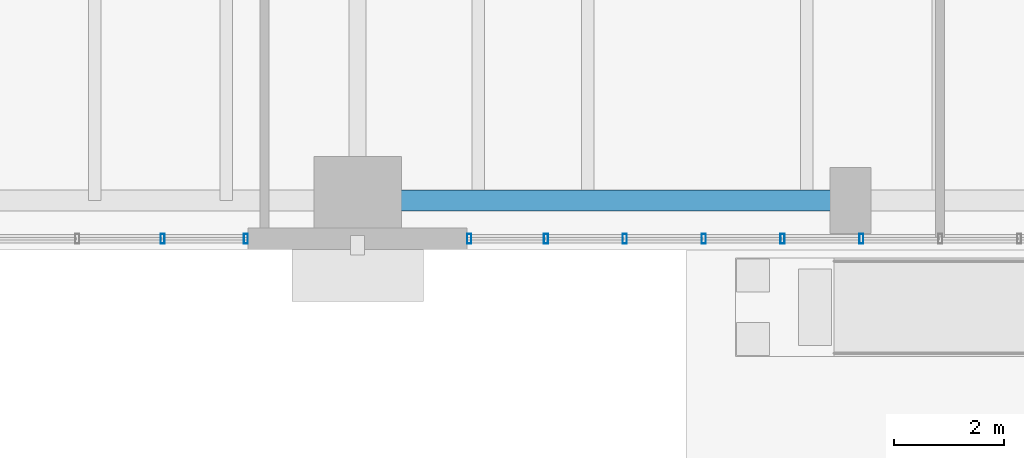
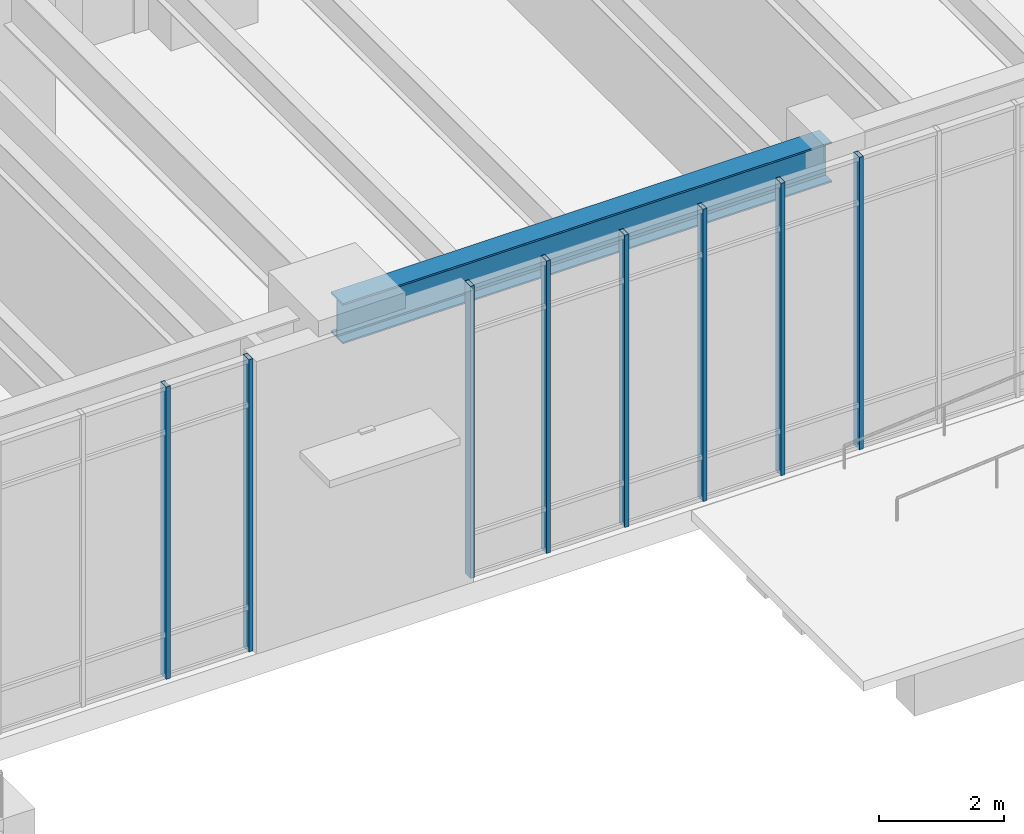
# One storey, part 4 of 28: 8 members, 1 beam, 2 elements without a shape of their own.
"""IFC4 building model written with IfcOpenShell, lengths in metres."""

from ifc_helpers import new_model, si_unit, direction, frame, origin, origin_2d, place, context, subcontext, project, spatial, hollow_rectangle, i_section, extrude, material, layer, layer_set, material_profile, profile_set, type_object, element, aggregate, save


model = new_model("IFC4")

# Units and contexts
model_context = context("Model", 3, precision=1e-05, world=origin(), true_north=direction((0.0, 1.0)))
body_context = subcontext(model_context, "Body", "Model", "MODEL_VIEW")
ifc_project = project(units=[si_unit("LENGTHUNIT", "METRE"), si_unit("AREAUNIT", "SQUARE_METRE"), si_unit("VOLUMEUNIT", "CUBIC_METRE"), si_unit("PLANEANGLEUNIT", "RADIAN"), si_unit("MASSUNIT", "GRAM", prefix="KILO"), si_unit("THERMODYNAMICTEMPERATUREUNIT", "KELVIN"), si_unit("POWERUNIT", "WATT")], contexts=[model_context])

# Site, building, storey
site_placement = place(None, origin())
site = spatial("IfcSite", under=ifc_project, at=site_placement, CompositionType="ELEMENT")
building_placement = place(site_placement, origin())
building = spatial("IfcBuilding", under=site, at=building_placement, Name="Skarre Station Tower", CompositionType="ELEMENT")
storey_placement = place(building_placement, origin())
storey = spatial("IfcBuildingStorey", under=building, at=storey_placement, Name="L01", CompositionType="ELEMENT", Elevation=0.0)

# Curtain wall, members
ifc_material_1 = material(Name="Thermally Broken Bronze-Anodized Aluminium & Triple Low-E Glass", Category="aluminium")
ifc_layer = layer(ifc_material_1, 0.239990234375, Name="Thermally Broken Bronze-Anodized Aluminium & Triple Low-E Glass")
ifc_layer_set = layer_set([ifc_layer], Name="Thermally Broken Bronze-Anodized Aluminium & Triple Low-E Glass")
curtain_wall_type = type_object("IfcCurtainWallType", Name="Station Concourse Monumental Unitised Curtain Wall", PredefinedType="NOTDEFINED", material=ifc_layer_set)
curtain_wall_1_placement = place(storey_placement, origin())
curtain_wall_1 = element("IfcCurtainWall", 1, at=curtain_wall_1_placement, inside=storey, type_object=curtain_wall_type, Name="L01 South Concourse Portal East Curtain Wall", PredefinedType="NOTDEFINED")
ifc_material_2 = material(Name="Anodized Aluminium 6063-T6", Category="aluminium")
ifc_material_profile_1 = material_profile(ifc_material_2, hollow_rectangle(XDim=0.074951171875, YDim=0.179931640625, WallThickness=0.00390625, at=origin_2d()), Name="Anodized Aluminium 6063-T6")
ifc_profile_set_1 = profile_set([ifc_material_profile_1], Name="Anodized Aluminium 6063-T6")
member_type = type_object("IfcMemberType", Name="Curtain-Wall Heavy Concourse Mullion 180x75", PredefinedType="MULLION", material=ifc_profile_set_1)
member_1_placement = place(storey_placement, frame((45.199951171875, 0.199951171875, 0.0), z_axis=(0.0, 0.0, 1.0), x_axis=(-1.0, 0.0, 0.0)))
member_1 = element("IfcMember", 2, at=member_1_placement, type_object=member_type, Name="L01 South Concourse Portal East Curtain Wall Mullion 6", PredefinedType="MULLION", context=body_context, shape_type="SweptSolid", body=[
    extrude(hollow_rectangle(XDim=0.074951171875, YDim=0.179931640625, WallThickness=0.00390625, at=origin_2d()), origin(), (0.0, 0.0, 1.0), 5.68994140625),
])
member_2_placement = place(storey_placement, frame((43.760009765625, 0.199951171875, 0.0), z_axis=(0.0, 0.0, 1.0), x_axis=(-1.0, 0.0, 0.0)))
member_2 = element("IfcMember", 3, at=member_2_placement, type_object=member_type, Name="L01 South Concourse Portal East Curtain Wall Mullion 7", PredefinedType="MULLION", context=body_context, shape_type="SweptSolid", body=[
    extrude(hollow_rectangle(XDim=0.074951171875, YDim=0.179931640625, WallThickness=0.00390625, at=origin_2d()), origin(), (0.0, 0.0, 1.0), 5.68994140625),
])
member_3_placement = place(storey_placement, frame((42.320068359375, 0.199951171875, 0.0), z_axis=(0.0, 0.0, 1.0), x_axis=(-1.0, 0.0, 0.0)))
member_3 = element("IfcMember", 4, at=member_3_placement, type_object=member_type, Name="L01 South Concourse Portal East Curtain Wall Mullion 8", PredefinedType="MULLION", context=body_context, shape_type="SweptSolid", body=[
    extrude(hollow_rectangle(XDim=0.074951171875, YDim=0.179931640625, WallThickness=0.00390625, at=origin_2d()), origin(), (0.0, 0.0, 1.0), 5.68994140625),
])
member_4_placement = place(storey_placement, frame((40.8798828125, 0.199951171875, 0.0), z_axis=(0.0, 0.0, 1.0), x_axis=(-1.0, 0.0, 0.0)))
member_4 = element("IfcMember", 5, at=member_4_placement, type_object=member_type, Name="L01 South Concourse Portal East Curtain Wall Mullion 9", PredefinedType="MULLION", context=body_context, shape_type="SweptSolid", body=[
    extrude(hollow_rectangle(XDim=0.074951171875, YDim=0.179931640625, WallThickness=0.00390625, at=origin_2d()), origin(), (0.0, 0.0, 1.0), 5.68994140625),
])
member_5_placement = place(storey_placement, frame((39.43994140625, 0.199951171875, 0.0), z_axis=(0.0, 0.0, 1.0), x_axis=(-1.0, 0.0, 0.0)))
member_5 = element("IfcMember", 6, at=member_5_placement, type_object=member_type, Name="L01 South Concourse Portal East Curtain Wall Mullion 10", PredefinedType="MULLION", context=body_context, shape_type="SweptSolid", body=[
    extrude(hollow_rectangle(XDim=0.074951171875, YDim=0.179931640625, WallThickness=0.00390625, at=origin_2d()), origin(), (0.0, 0.0, 1.0), 5.68994140625),
])
member_6_placement = place(storey_placement, frame((38.0400390625, 0.199951171875, 0.0), z_axis=(0.0, 0.0, 1.0), x_axis=(-1.0, 0.0, 0.0)))
member_6 = element("IfcMember", 7, at=member_6_placement, type_object=member_type, Name="L01 South Concourse Portal East Curtain Wall Mullion 11", PredefinedType="MULLION", context=body_context, shape_type="SweptSolid", body=[
    extrude(hollow_rectangle(XDim=0.074951171875, YDim=0.179931640625, WallThickness=0.00390625, at=origin_2d()), origin(), (0.0, 0.0, 1.0), 5.68994140625),
])
aggregate(curtain_wall_1, [member_1, member_2, member_3, member_4, member_5, member_6])

curtain_wall_2_placement = place(storey_placement, origin())
curtain_wall_2 = element("IfcCurtainWall", 8, at=curtain_wall_2_placement, inside=storey, type_object=curtain_wall_type, Name="L01 South Concourse Portal West Curtain Wall", PredefinedType="NOTDEFINED")
member_7_placement = place(storey_placement, frame((33.9599609375, 0.199951171875, 0.0), z_axis=(0.0, 0.0, 1.0), x_axis=(-1.0, 0.0, 0.0)))
member_7 = element("IfcMember", 9, at=member_7_placement, type_object=member_type, Name="L01 South Concourse Portal West Curtain Wall Mullion 1", PredefinedType="MULLION", context=body_context, shape_type="SweptSolid", body=[
    extrude(hollow_rectangle(XDim=0.074951171875, YDim=0.179931640625, WallThickness=0.00390625, at=origin_2d()), origin(), (0.0, 0.0, 1.0), 5.68994140625),
])
member_8_placement = place(storey_placement, frame((32.43994140625, 0.199951171875, 0.0), z_axis=(0.0, 0.0, 1.0), x_axis=(-1.0, 0.0, 0.0)))
member_8 = element("IfcMember", 10, at=member_8_placement, type_object=member_type, Name="L01 South Concourse Portal West Curtain Wall Mullion 2", PredefinedType="MULLION", context=body_context, shape_type="SweptSolid", body=[
    extrude(hollow_rectangle(XDim=0.074951171875, YDim=0.179931640625, WallThickness=0.00390625, at=origin_2d()), origin(), (0.0, 0.0, 1.0), 5.68994140625),
])
aggregate(curtain_wall_2, [member_7, member_8])

# Beam
ifc_material_3 = material(Name="Steel ASTM A992 Grade 50", Category="steel")
ifc_material_profile_2 = material_profile(ifc_material_3, i_section(OverallWidth=0.384033203125, OverallDepth=0.785888671875, WebThickness=0.02001953125, FlangeThickness=0.032958984375, at=origin_2d()), Name="Steel ASTM A992 Grade 50")
ifc_profile_set_2 = profile_set([ifc_material_profile_2], Name="Steel ASTM A992 Grade 50")
beam_type = type_object("IfcBeamType", Name="Steel Spandrel W30X211", PredefinedType="SPANDREL", material=ifc_profile_set_2)
beam_placement = place(storey_placement, frame((36.0, 0.89990234375, 5.297119140625), z_axis=(1.0, 0.0, 0.0), x_axis=(0.0, 1.0, 0.0)))
element("IfcBeam", 11, at=beam_placement, inside=storey, type_object=beam_type, Name="L01 South Podium Spandrel 5", PredefinedType="SPANDREL", context=body_context, shape_type="SweptSolid", body=[
    extrude(i_section(OverallWidth=0.384033203125, OverallDepth=0.785888671875, WebThickness=0.02001953125, FlangeThickness=0.032958984375, at=origin_2d()), origin(), (0.0, 0.0, 1.0), 9.0),
])

save(model, "model.ifc")
